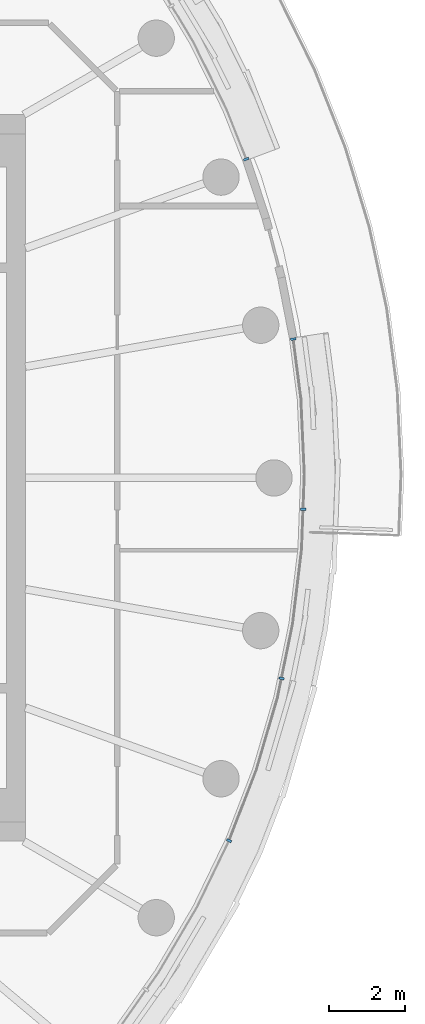
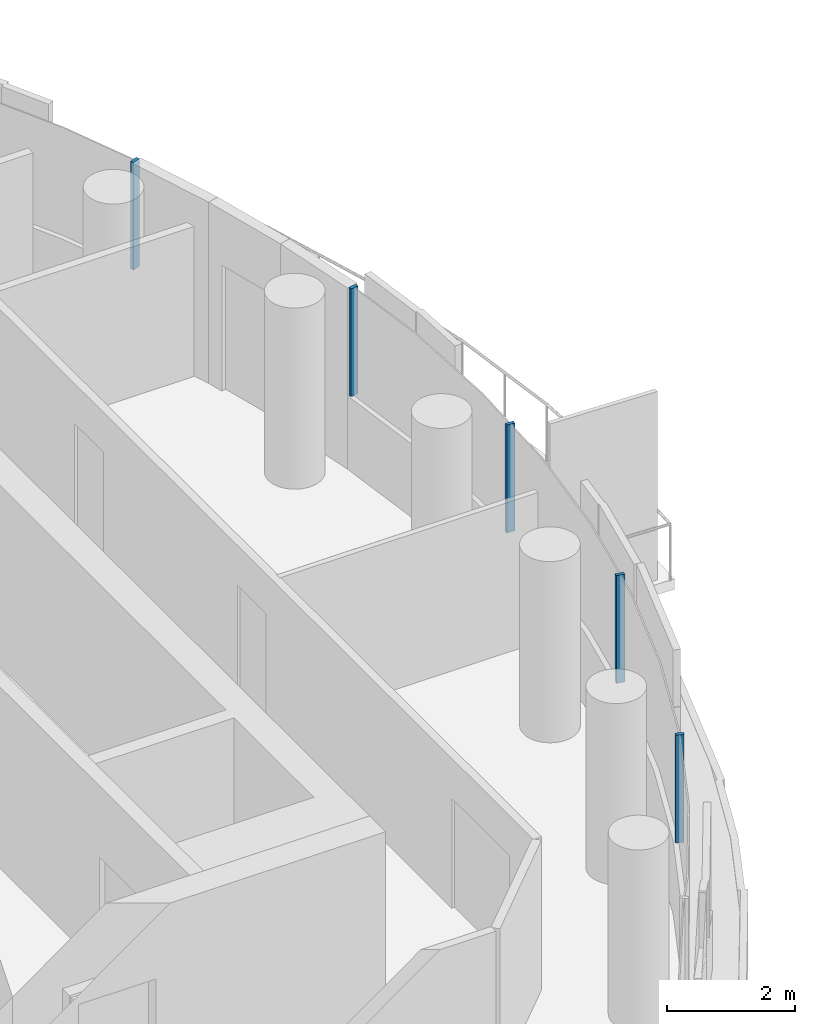
# One storey, part 14 of 34: 5 members, 1 element without a shape of its own.
"""IFC4 building model written with IfcOpenShell, lengths in metres."""

from ifc_helpers import new_model, si_unit, direction, frame, origin, origin_2d, place, context, subcontext, project, spatial, rectangle, extrude, material, layer, layer_set, material_profile, profile_set, type_object, element, aggregate, save


model = new_model("IFC4")

# Units and contexts
model_context = context("Model", 3, precision=1e-05, world=origin(), true_north=direction((0.0, 1.0)))
body_context = subcontext(model_context, "Body", "Model", "MODEL_VIEW")
ifc_project = project(units=[si_unit("LENGTHUNIT", "METRE"), si_unit("AREAUNIT", "SQUARE_METRE"), si_unit("VOLUMEUNIT", "CUBIC_METRE"), si_unit("PLANEANGLEUNIT", "RADIAN"), si_unit("MASSUNIT", "GRAM", prefix="KILO")], contexts=[model_context])

# Site, building, storey
site_placement = place(None, origin())
site = spatial("IfcSite", under=ifc_project, at=site_placement, CompositionType="ELEMENT")
building_placement = place(site_placement, origin())
building = spatial("IfcBuilding", under=site, at=building_placement, Name="Tamarind Cross Interchange Tower", CompositionType="ELEMENT")
storey_placement = place(building_placement, frame((0.0, 0.0, 189.699951171875)))
storey = spatial("IfcBuildingStorey", under=building, at=storey_placement, Name="L47", CompositionType="ELEMENT", Elevation=189.699951171875)

# Curtain wall, members
ifc_material = material(Name="Aluminium 6063-T6", Category="aluminium")
ifc_layer = layer(ifc_material, 0.139892578125)
ifc_layer_set = layer_set([ifc_layer], Name="Aluminium 6063-T6")
curtain_wall_type = type_object("IfcCurtainWallType", Name="Hotel curtain wall, 4.5 m bays", PredefinedType="NOTDEFINED", material=ifc_layer_set)
curtain_wall_placement = place(storey_placement, origin())
curtain_wall = element("IfcCurtainWall", 1, at=curtain_wall_placement, inside=storey, type_object=curtain_wall_type, Name="CWS-L47-02", PredefinedType="NOTDEFINED")
ifc_material_profile = material_profile(ifc_material, rectangle(XDim=0.06005859375, YDim=0.139892578125, at=origin_2d()), Name="Mullion CW2")
ifc_profile_set = profile_set([ifc_material_profile], Name="Aluminium 6063-T6")
member_type = type_object("IfcMemberType", Name="Mullion CW2", PredefinedType="MULLION", material=ifc_profile_set)
member_1_placement = place(storey_placement, frame((21.822509765625, -9.4853515625, 1.400146484375), z_axis=(0.0, 0.0, 1.0), x_axis=(0.435326231914, 0.900272776334, 0.0)))
member_1 = element("IfcMember", 2, at=member_1_placement, type_object=member_type, Name="CWM-L47-02-04", PredefinedType="MULLION", context=body_context, shape_type="SweptSolid", body=[
    extrude(rectangle(XDim=0.06005859375, YDim=0.139892578125, at=origin_2d()), origin(), (0.0, 0.0, 1.0), 2.059814453125),
])
member_2_placement = place(storey_placement, frame((23.195068359375, -5.242431640625, 1.400146484375), z_axis=(0.0, 0.0, 1.0), x_axis=(0.201001463943, 0.9795909409, 0.0)))
member_2 = element("IfcMember", 3, at=member_2_placement, type_object=member_type, Name="CWM-L47-02-05", PredefinedType="MULLION", context=body_context, shape_type="SweptSolid", body=[
    extrude(rectangle(XDim=0.06005859375, YDim=0.139892578125, at=origin_2d()), origin(), (0.0, 0.0, 1.0), 2.059814453125),
])
member_3_placement = place(storey_placement, frame((23.761474609375, -0.819580078125, 1.400146484375), z_axis=(0.0, 0.0, 1.0), x_axis=(0.037024696392, 0.999314350871, 0.0)))
member_3 = element("IfcMember", 4, at=member_3_placement, type_object=member_type, Name="CWM-L47-02-06", PredefinedType="MULLION", context=body_context, shape_type="SweptSolid", body=[
    extrude(rectangle(XDim=0.06005859375, YDim=0.139892578125, at=origin_2d()), origin(), (0.0, 0.0, 1.0), 2.059814453125),
])
member_4_placement = place(storey_placement, frame((23.50390625, 3.6318359375, 1.400146484375), z_axis=(0.0, 0.0, 1.0), x_axis=(-0.127962008342, 0.991779070368, 0.0)))
member_4 = element("IfcMember", 5, at=member_4_placement, type_object=member_type, Name="CWM-L47-02-07", PredefinedType="MULLION", context=body_context, shape_type="SweptSolid", body=[
    extrude(rectangle(XDim=0.06005859375, YDim=0.139892578125, at=origin_2d()), origin(), (0.0, 0.0, 1.0), 2.059814453125),
])
member_5_placement = place(storey_placement, frame((22.270751953125, 8.335205078125, 1.400146484375), z_axis=(0.0, 0.0, 1.0), x_axis=(-0.367513773146, 0.930018078613, 0.0)))
member_5 = element("IfcMember", 6, at=member_5_placement, type_object=member_type, Name="CWM-L47-02-08", PredefinedType="MULLION", context=body_context, shape_type="SweptSolid", body=[
    extrude(rectangle(XDim=0.06005859375, YDim=0.139892578125, at=origin_2d()), origin(), (0.0, 0.0, 1.0), 2.059814453125),
])
aggregate(curtain_wall, [member_1, member_2, member_3, member_4, member_5])

save(model, "model.ifc")
